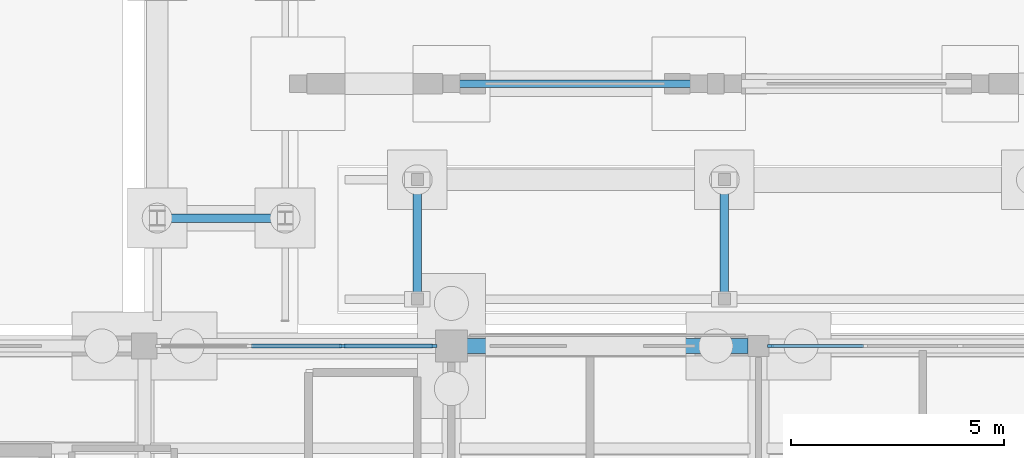
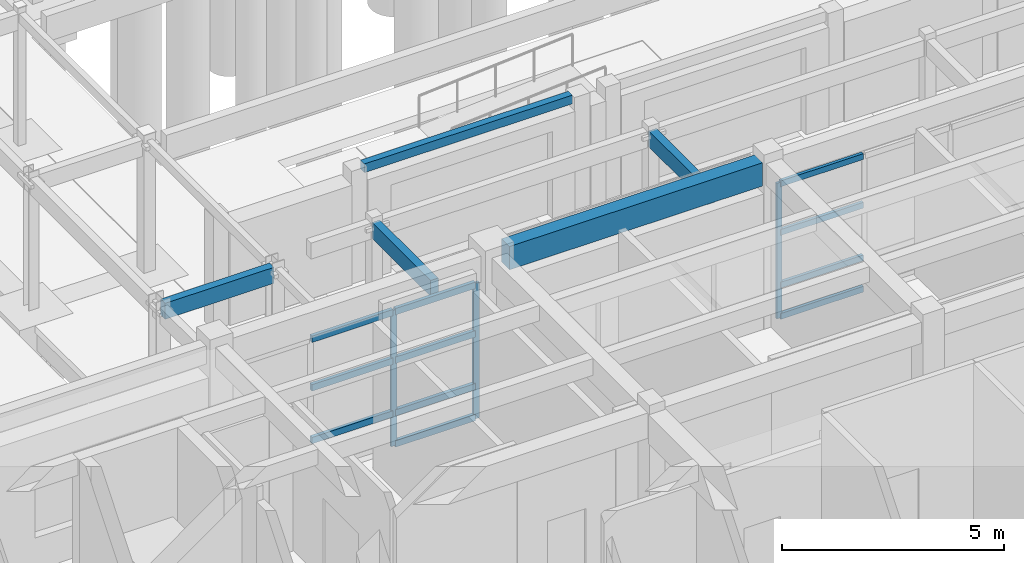
# One storey, part 38 of 143: 14 members, 5 beams, 2 elements without a shape of their own.
"""IFC4 building model written with IfcOpenShell, lengths in metres."""

from ifc_helpers import new_model, si_unit, direction, frame, origin, origin_2d, place, context, subcontext, project, spatial, rectangle, extrude, material, material_profile, profile_set, type_object, element, aggregate, save


model = new_model("IFC4")

# Units and contexts
model_context = context("Model", 3, precision=1e-05, world=origin(), true_north=direction((0.0, 1.0)))
body_context = subcontext(model_context, "Body", "Model", "MODEL_VIEW")
ifc_project = project(units=[si_unit("LENGTHUNIT", "METRE"), si_unit("AREAUNIT", "SQUARE_METRE"), si_unit("VOLUMEUNIT", "CUBIC_METRE"), si_unit("PLANEANGLEUNIT", "RADIAN"), si_unit("MASSUNIT", "GRAM", prefix="KILO")], contexts=[model_context])

# Site, building, storey
site_placement = place(None, origin())
site = spatial("IfcSite", under=ifc_project, at=site_placement, CompositionType="ELEMENT")
building_placement = place(site_placement, origin())
building = spatial("IfcBuilding", under=site, at=building_placement, Name="Steenspoor Specialist Clinic", CompositionType="ELEMENT")
storey_placement = place(building_placement, origin())
storey = spatial("IfcBuildingStorey", under=building, at=storey_placement, Name="L00", CompositionType="ELEMENT", Elevation=0.0)

# Beams
ifc_material_1 = material(Name="Glulam GL28h", Category="wood")
ifc_material_profile_1 = material_profile(ifc_material_1, rectangle(XDim=0.199951171875, YDim=0.43994140625, at=origin_2d()), Name="GL28H-200X440")
ifc_profile_set_1 = profile_set([ifc_material_profile_1], Name="Glulam GL28h")
beam_type_1 = type_object("IfcBeamType", Name="BM-GL-200X440", PredefinedType="BEAM", material=ifc_profile_set_1)
beam_1_placement = place(storey_placement, frame((52.780029296875, 44.85009765625, 3.4150390625), z_axis=(1.0, 0.0, 0.0), x_axis=(0.0, 1.0, 0.0)))
element("IfcBeam", 1, at=beam_1_placement, inside=storey, type_object=beam_type_1, Name="BM-WK1-T-448", PredefinedType="BEAM", context=body_context, shape_type="SweptSolid", body=[
    extrude(rectangle(XDim=0.199951171875, YDim=0.43994140625, at=origin_2d()), origin(), (0.0, 0.0, 1.0), 2.840087890625),
])
for number, where, z_axis, x_axis, name in (
    (2, (58.800048828125, 43.030029296875, 3.014892578125), (0.0, 1.0, 0.0), (-1.0, 0.0, 0.0), "BM-WK5-T-588"),
    (3, (66.0, 43.030029296875, 3.014892578125), (0.0, 1.0, 0.0), (-1.0, 0.0, 0.0), "BM-WK5-T-660"),
):
    element("IfcBeam", number, at=place(storey_placement, frame(where, z_axis=z_axis, x_axis=x_axis)), inside=storey, type_object=beam_type_1, Name=name, PredefinedType="BEAM", context=body_context, shape_type="SweptSolid", body=[
        extrude(rectangle(XDim=0.199951171875, YDim=0.43994140625, at=origin_2d()), origin(), (0.0, 0.0, 1.0), 2.639892578125),
    ])

# Curtain wall, member
ifc_material_2 = material(Name="Thermally broken aluminium and low-emissivity glass", Category="aluminium")
curtain_wall_type_1 = type_object("IfcCurtainWallType", Name="CW-TYP-650X355", PredefinedType="USERDEFINED", material=ifc_material_2)
curtain_wall_1_placement = place(storey_placement, origin())
curtain_wall_1 = element("IfcCurtainWall", 4, at=curtain_wall_1_placement, inside=storey, type_object=curtain_wall_type_1, Name="Unitised Curtain Wall CW-V1-L00-010", ObjectType="UNITISED GLAZING", PredefinedType="USERDEFINED")
ifc_material_3 = material(Name="Thermally broken aluminium 6063-T6", Category="aluminium")
ifc_material_profile_2 = material_profile(ifc_material_3, rectangle(XDim=0.06005859375, YDim=0.135009765625, at=origin_2d()), Name="CWM-60X135")
ifc_profile_set_2 = profile_set([ifc_material_profile_2], Name="Thermally broken aluminium 6063-T6")
member_type_1 = type_object("IfcMemberType", Name="CW-MULL-60X135", PredefinedType="MULLION", material=ifc_profile_set_2)
member_1_placement = place(storey_placement, frame((67.080078125, 41.85009765625, 0.0), z_axis=(0.0, 0.0, 1.0), x_axis=(0.0, 1.0, 0.0)))
member_1 = element("IfcMember", 5, at=member_1_placement, type_object=member_type_1, Name="CW-10 mullion 1", PredefinedType="MULLION", context=body_context, shape_type="SweptSolid", body=[
    extrude(rectangle(XDim=0.06005859375, YDim=0.135009765625, at=origin_2d()), origin(), (0.0, 0.0, 1.0), 3.72998046875),
])

# Curtain wall, members
curtain_wall_type_2 = type_object("IfcCurtainWallType", Name="CW-TYP-660X355", PredefinedType="USERDEFINED", material=ifc_material_2)
curtain_wall_2_placement = place(storey_placement, origin())
curtain_wall_2 = element("IfcCurtainWall", 6, at=curtain_wall_2_placement, inside=storey, type_object=curtain_wall_type_2, Name="Unitised Curtain Wall CW-V1-L00-009", ObjectType="UNITISED GLAZING", PredefinedType="USERDEFINED")
ifc_material_profile_3 = material_profile(ifc_material_3, rectangle(XDim=0.06494140625, YDim=0.14990234375, at=origin_2d()), Name="CWM-65X150")
ifc_profile_set_3 = profile_set([ifc_material_profile_3], Name="Thermally broken aluminium 6063-T6")
member_type_2 = type_object("IfcMemberType", Name="CW-MULL-65X150", PredefinedType="MULLION", material=ifc_profile_set_3)
member_2_placement = place(storey_placement, frame((57.050048828125, 41.85009765625, 0.0), z_axis=(0.0, 0.0, 1.0), x_axis=(0.0, 1.0, 0.0)))
member_2 = element("IfcMember", 7, at=member_2_placement, type_object=member_type_2, Name="CW-09 mullion 3", PredefinedType="MULLION", context=body_context, shape_type="SweptSolid", body=[
    extrude(rectangle(XDim=0.06494140625, YDim=0.14990234375, at=origin_2d()), origin(), (0.0, 0.0, 1.0), 3.72998046875),
])
member_3_placement = place(storey_placement, frame((59.1923828125, 41.85009765625, 0.0), z_axis=(0.0, 0.0, 1.0), x_axis=(0.0, 1.0, 0.0)))
member_3 = element("IfcMember", 8, at=member_3_placement, type_object=member_type_2, Name="CW-09 mullion 4", PredefinedType="MULLION", context=body_context, shape_type="SweptSolid", body=[
    extrude(rectangle(XDim=0.06494140625, YDim=0.14990234375, at=origin_2d()), origin(), (0.0, 0.0, 1.0), 3.72998046875),
])

# Member
ifc_material_profile_4 = material_profile(ifc_material_3, rectangle(XDim=0.080078125, YDim=0.159912109375, at=origin_2d()), Name="CWT-80X160")
ifc_profile_set_4 = profile_set([ifc_material_profile_4], Name="Thermally broken aluminium 6063-T6")
member_type_3 = type_object("IfcMemberType", Name="CW-TRAN-80X160", PredefinedType="USERDEFINED", material=ifc_profile_set_4)
member_4_placement = place(storey_placement, frame((67.110107421875, 41.85009765625, 0.0400390625), z_axis=(1.0, 0.0, 0.0), x_axis=(0.0, 1.0, 0.0)))
member_4 = element("IfcMember", 9, at=member_4_placement, type_object=member_type_3, Name="CW-10 transom 1.1", ObjectType="TRANSOM", PredefinedType="USERDEFINED", context=body_context, shape_type="SweptSolid", body=[
    extrude(rectangle(XDim=0.080078125, YDim=0.159912109375, at=origin_2d()), origin(), (0.0, 0.0, 1.0), 2.151611328125),
])

member_5_placement = place(storey_placement, frame((67.110107421875, 41.85009765625, 0.89990234375), z_axis=(1.0, 0.0, 0.0), x_axis=(0.0, 1.0, 0.0)))
member_5 = element("IfcMember", 10, at=member_5_placement, type_object=member_type_3, Name="CW-10 transom 1.2", ObjectType="TRANSOM", PredefinedType="USERDEFINED", context=body_context, shape_type="SweptSolid", body=[
    extrude(rectangle(XDim=0.080078125, YDim=0.159912109375, at=origin_2d()), origin(), (0.0, 0.0, 1.0), 2.151611328125),
])

member_6_placement = place(storey_placement, frame((67.110107421875, 41.85009765625, 2.35009765625), z_axis=(1.0, 0.0, 0.0), x_axis=(0.0, 1.0, 0.0)))
member_6 = element("IfcMember", 11, at=member_6_placement, type_object=member_type_3, Name="CW-10 transom 1.3", ObjectType="TRANSOM", PredefinedType="USERDEFINED", context=body_context, shape_type="SweptSolid", body=[
    extrude(rectangle(XDim=0.080078125, YDim=0.159912109375, at=origin_2d()), origin(), (0.0, 0.0, 1.0), 2.151611328125),
])

member_7_placement = place(storey_placement, frame((67.110107421875, 41.85009765625, 3.68994140625), z_axis=(1.0, 0.0, 0.0), x_axis=(0.0, 1.0, 0.0)))
member_7 = element("IfcMember", 12, at=member_7_placement, type_object=member_type_3, Name="CW-10 transom 1.4", ObjectType="TRANSOM", PredefinedType="USERDEFINED", context=body_context, shape_type="SweptSolid", body=[
    extrude(rectangle(XDim=0.080078125, YDim=0.159912109375, at=origin_2d()), origin(), (0.0, 0.0, 1.0), 2.151611328125),
])

aggregate(curtain_wall_1, [member_1, member_4, member_5, member_6, member_7])

ifc_material_profile_5 = material_profile(ifc_material_3, rectangle(XDim=0.090087890625, YDim=0.175048828125, at=origin_2d()), Name="CWT-90X175")
ifc_profile_set_5 = profile_set([ifc_material_profile_5], Name="Thermally broken aluminium 6063-T6")
member_type_4 = type_object("IfcMemberType", Name="CW-TRAN-90X175", PredefinedType="USERDEFINED", material=ifc_profile_set_5)
member_8_placement = place(storey_placement, frame((54.907470703125, 41.85009765625, 0.89990234375), z_axis=(1.0, 0.0, 0.0), x_axis=(0.0, 1.0, 0.0)))
member_8 = element("IfcMember", 13, at=member_8_placement, type_object=member_type_4, Name="CW-09 transom 2.2", ObjectType="TRANSOM", PredefinedType="USERDEFINED", context=body_context, shape_type="SweptSolid", body=[
    extrude(rectangle(XDim=0.090087890625, YDim=0.175048828125, at=origin_2d()), origin(), (0.0, 0.0, 1.0), 2.110107421875),
])

member_9_placement = place(storey_placement, frame((54.907470703125, 41.85009765625, 2.35009765625), z_axis=(1.0, 0.0, 0.0), x_axis=(0.0, 1.0, 0.0)))
member_9 = element("IfcMember", 14, at=member_9_placement, type_object=member_type_4, Name="CW-09 transom 2.3", ObjectType="TRANSOM", PredefinedType="USERDEFINED", context=body_context, shape_type="SweptSolid", body=[
    extrude(rectangle(XDim=0.090087890625, YDim=0.175048828125, at=origin_2d()), origin(), (0.0, 0.0, 1.0), 2.110107421875),
])

member_10_placement = place(storey_placement, frame((54.907470703125, 41.85009765625, 3.68505859375), z_axis=(1.0, 0.0, 0.0), x_axis=(0.0, 1.0, 0.0)))
member_10 = element("IfcMember", 15, at=member_10_placement, type_object=member_type_4, Name="CW-09 transom 2.4", ObjectType="TRANSOM", PredefinedType="USERDEFINED", context=body_context, shape_type="SweptSolid", body=[
    extrude(rectangle(XDim=0.090087890625, YDim=0.175048828125, at=origin_2d()), origin(), (0.0, 0.0, 1.0), 2.110107421875),
])

member_11_placement = place(storey_placement, frame((57.08251953125, 41.85009765625, 0.044921875), z_axis=(1.0, 0.0, 0.0), x_axis=(0.0, 1.0, 0.0)))
member_11 = element("IfcMember", 16, at=member_11_placement, type_object=member_type_4, Name="CW-09 transom 3.1", ObjectType="TRANSOM", PredefinedType="USERDEFINED", context=body_context, shape_type="SweptSolid", body=[
    extrude(rectangle(XDim=0.090087890625, YDim=0.175048828125, at=origin_2d()), origin(), (0.0, 0.0, 1.0), 2.077392578125),
])

member_12_placement = place(storey_placement, frame((57.08251953125, 41.85009765625, 0.89990234375), z_axis=(1.0, 0.0, 0.0), x_axis=(0.0, 1.0, 0.0)))
member_12 = element("IfcMember", 17, at=member_12_placement, type_object=member_type_4, Name="CW-09 transom 3.2", ObjectType="TRANSOM", PredefinedType="USERDEFINED", context=body_context, shape_type="SweptSolid", body=[
    extrude(rectangle(XDim=0.090087890625, YDim=0.175048828125, at=origin_2d()), origin(), (0.0, 0.0, 1.0), 2.077392578125),
])

member_13_placement = place(storey_placement, frame((57.08251953125, 41.85009765625, 2.35009765625), z_axis=(1.0, 0.0, 0.0), x_axis=(0.0, 1.0, 0.0)))
member_13 = element("IfcMember", 18, at=member_13_placement, type_object=member_type_4, Name="CW-09 transom 3.3", ObjectType="TRANSOM", PredefinedType="USERDEFINED", context=body_context, shape_type="SweptSolid", body=[
    extrude(rectangle(XDim=0.090087890625, YDim=0.175048828125, at=origin_2d()), origin(), (0.0, 0.0, 1.0), 2.077392578125),
])

member_14_placement = place(storey_placement, frame((57.08251953125, 41.85009765625, 3.68505859375), z_axis=(1.0, 0.0, 0.0), x_axis=(0.0, 1.0, 0.0)))
member_14 = element("IfcMember", 19, at=member_14_placement, type_object=member_type_4, Name="CW-09 transom 3.4", ObjectType="TRANSOM", PredefinedType="USERDEFINED", context=body_context, shape_type="SweptSolid", body=[
    extrude(rectangle(XDim=0.090087890625, YDim=0.175048828125, at=origin_2d()), origin(), (0.0, 0.0, 1.0), 2.077392578125),
])

aggregate(curtain_wall_2, [member_2, member_3, member_8, member_9, member_10, member_11, member_12, member_13, member_14])

# Beams
ifc_material_4 = material(Name="Concrete C35/45", Category="concrete")
ifc_material_profile_6 = material_profile(ifc_material_4, rectangle(XDim=0.179931640625, YDim=0.239990234375, at=origin_2d()), Name="RC-LN-180X240")
ifc_profile_set_6 = profile_set([ifc_material_profile_6], Name="Concrete C35/45")
beam_type_2 = type_object("IfcBeamType", Name="LN-RC-180X240", PredefinedType="LINTEL", material=ifc_profile_set_6)
beam_2_placement = place(storey_placement, frame((59.794921875, 48.0, 2.97998046875), z_axis=(1.0, 0.0, 0.0), x_axis=(0.0, 1.0, 0.0)))
element("IfcBeam", 20, at=beam_2_placement, inside=storey, type_object=beam_type_2, Name="Portal Opening Lintel GT02", PredefinedType="LINTEL", context=body_context, shape_type="SweptSolid", body=[
    extrude(rectangle(XDim=0.179931640625, YDim=0.239990234375, at=origin_2d()), origin(), (0.0, 0.0, 1.0), 5.41015625),
])
ifc_material_profile_7 = material_profile(ifc_material_4, rectangle(XDim=0.360107421875, YDim=0.639892578125, at=origin_2d()), Name="RC-SP-360X640")
ifc_profile_set_7 = profile_set([ifc_material_profile_7], Name="Concrete C35/45")
beam_type_3 = type_object("IfcBeamType", Name="SP-RC-360X640", PredefinedType="SPANDREL", material=ifc_profile_set_7)
beam_3_placement = place(storey_placement, frame((59.969970703125, 41.85009765625, 4.22998046875), z_axis=(1.0, 0.0, 0.0), x_axis=(0.0, 1.0, 0.0)))
element("IfcBeam", 21, at=beam_3_placement, inside=storey, type_object=beam_type_3, Name="BM-V1-L00-X0032", PredefinedType="SPANDREL", context=body_context, shape_type="SweptSolid", body=[
    extrude(rectangle(XDim=0.360107421875, YDim=0.639892578125, at=origin_2d()), origin(), (0.0, 0.0, 1.0), 6.5849609375),
])

save(model, "model.ifc")
